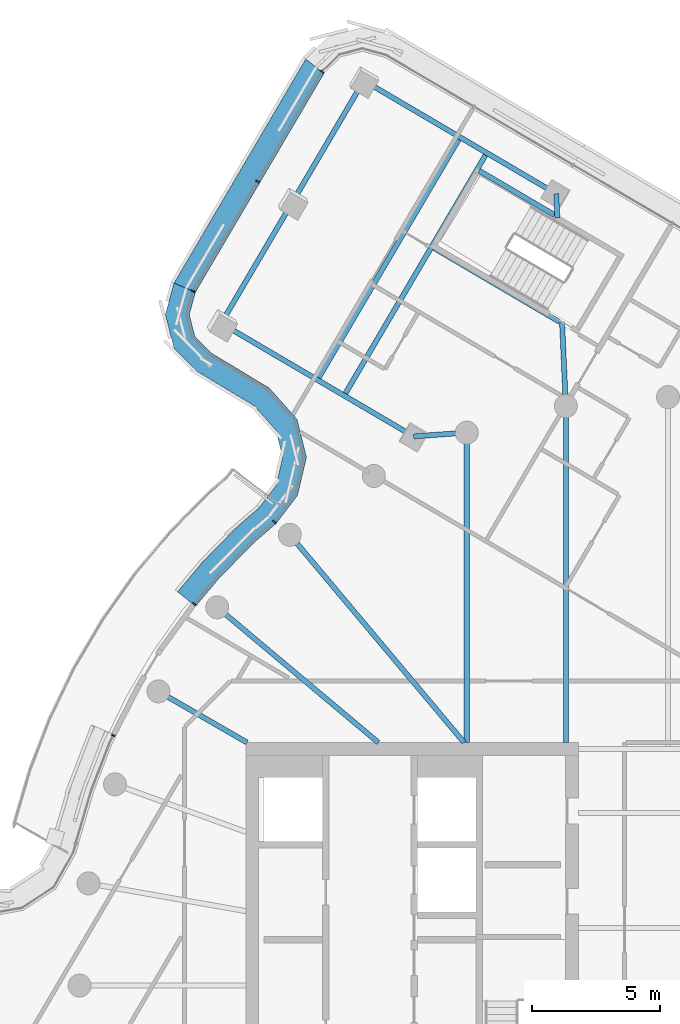
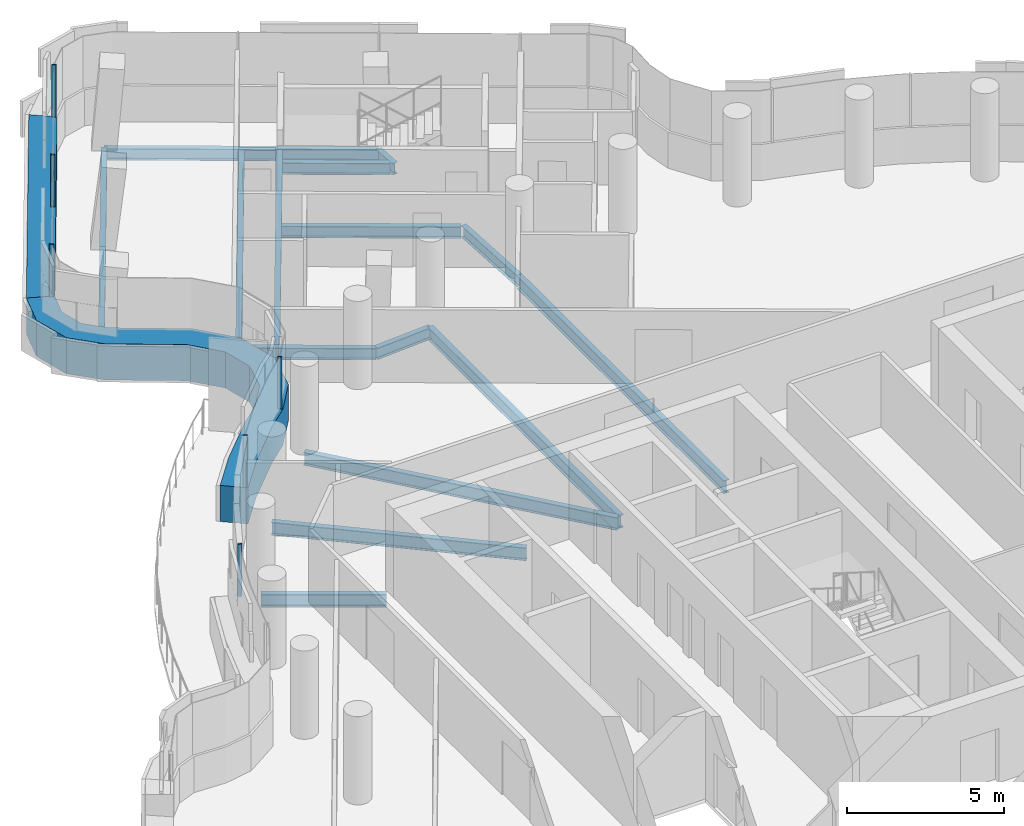
# One storey, part 9 of 26: 16 beams, 8 members, 2 elements without a shape of their own.
"""IFC4 building model written with IfcOpenShell, lengths in metres."""

from ifc_helpers import new_model, si_unit, direction, frame, origin, origin_2d, place, context, subcontext, project, spatial, polyline, rectangle, i_section, outline, extrude, material, layer, layer_set, material_profile, profile_set, type_object, element, aggregate, save


model = new_model("IFC4")

# Units and contexts
model_context = context("Model", 3, precision=1e-05, world=origin(), true_north=direction((0.0, 1.0)))
body_context = subcontext(model_context, "Body", "Model", "MODEL_VIEW")
ifc_project = project(units=[si_unit("LENGTHUNIT", "METRE"), si_unit("AREAUNIT", "SQUARE_METRE"), si_unit("VOLUMEUNIT", "CUBIC_METRE"), si_unit("PLANEANGLEUNIT", "RADIAN"), si_unit("MASSUNIT", "GRAM", prefix="KILO")], contexts=[model_context])

# Site, building, storey
site_placement = place(None, origin())
site = spatial("IfcSite", under=ifc_project, at=site_placement, CompositionType="ELEMENT")
building_placement = place(site_placement, origin())
building = spatial("IfcBuilding", under=site, at=building_placement, Name="Tamarind Cross Interchange Tower", CompositionType="ELEMENT")
storey_placement = place(building_placement, frame((0.0, 0.0, 248.699951171875)))
storey = spatial("IfcBuildingStorey", under=building, at=storey_placement, Name="L63", CompositionType="ELEMENT", Elevation=248.699951171875)

# Beams
ifc_material_1 = material(Name="Steel Q355B", Category="steel")
ifc_material_profile_1 = material_profile(ifc_material_1, i_section(OverallWidth=0.198974609375, OverallDepth=0.446044921875, WebThickness=0.008056640625, FlangeThickness=0.011962890625, FilletRadius=0.012939453125, at=origin_2d()), Name="HN 446x199x8x12")
ifc_profile_set_1 = profile_set([ifc_material_profile_1], Name="Steel Q355B")
beam_type_1 = type_object("IfcBeamType", Name="Composite beam HN 446x199x8x12 Q355B", PredefinedType="BEAM", material=ifc_profile_set_1)
beam_1_placement = place(storey_placement, frame((-11.8896484375, 35.368408203125, -0.363037109375), z_axis=(0.862102503168, -0.506733928242, 0.0), x_axis=(0.506733928242, 0.862102503168, 0.0)))
element("IfcBeam", 1, at=beam_1_placement, inside=storey, type_object=beam_type_1, Name="Beam N-edgeem4", PredefinedType="BEAM", context=body_context, shape_type="SweptSolid", body=[
    extrude(i_section(OverallWidth=0.198974609375, OverallDepth=0.446044921875, WebThickness=0.008056640625, FlangeThickness=0.011962890625, FilletRadius=0.012939453125, at=origin_2d()), origin(), (0.0, 0.0, 1.0), 8.724365234375),
])
beam_2_placement = place(storey_placement, frame((-17.4638671875, 25.88525390625, -0.363037109375), z_axis=(0.862109688614, -0.5067217035, 0.0), x_axis=(0.5067217035, 0.862109688614, 0.0)))
element("IfcBeam", 2, at=beam_2_placement, inside=storey, type_object=beam_type_1, Name="Beam N-edgeep2", PredefinedType="BEAM", context=body_context, shape_type="SweptSolid", body=[
    extrude(i_section(OverallWidth=0.198974609375, OverallDepth=0.446044921875, WebThickness=0.008056640625, FlangeThickness=0.011962890625, FilletRadius=0.012939453125, at=origin_2d()), origin(), (0.0, 0.0, 1.0), 8.724609375),
])
beam_3_placement = place(storey_placement, frame((-4.368408203125, 30.947509765625, -0.363037109375), z_axis=(0.045024715415, -0.998985873274, 0.0), x_axis=(0.998985873274, 0.045024715415, 0.0)))
element("IfcBeam", 3, at=beam_3_placement, inside=storey, type_object=beam_type_1, Name="Beam N-linkemt0", PredefinedType="BEAM", context=body_context, shape_type="SweptSolid", body=[
    extrude(i_section(OverallWidth=0.198974609375, OverallDepth=0.446044921875, WebThickness=0.008056640625, FlangeThickness=0.011962890625, FilletRadius=0.012939453125, at=origin_2d()), origin(), (0.0, 0.0, 1.0), 0.954345703125),
])
beam_4_placement = place(storey_placement, frame((-4.142578125, 25.94287109375, -0.363037109375), z_axis=(0.045115306473, -0.998981786181, 0.0), x_axis=(0.998981786181, 0.045115306473, 0.0)))
element("IfcBeam", 4, at=beam_4_placement, inside=storey, type_object=beam_type_1, Name="Beam N-linkemt1", PredefinedType="BEAM", context=body_context, shape_type="SweptSolid", body=[
    extrude(i_section(OverallWidth=0.198974609375, OverallDepth=0.446044921875, WebThickness=0.008056640625, FlangeThickness=0.011962890625, FilletRadius=0.012939453125, at=origin_2d()), origin(), (0.0, 0.0, 1.0), 3.295654296875),
])
beam_5_placement = place(storey_placement, frame((-9.9423828125, 21.46435546875, -0.363037109375), z_axis=(0.997444985887, 0.071438785888, 0.0), x_axis=(-0.071438785888, 0.997444985887, 0.0)))
element("IfcBeam", 5, at=beam_5_placement, inside=storey, type_object=beam_type_1, Name="Beam N-linkep", PredefinedType="BEAM", context=body_context, shape_type="SweptSolid", body=[
    extrude(i_section(OverallWidth=0.198974609375, OverallDepth=0.446044921875, WebThickness=0.008056640625, FlangeThickness=0.011962890625, FilletRadius=0.012939453125, at=origin_2d()), origin(), (0.0, 0.0, 1.0), 2.081298828125),
])
beam_6_placement = place(storey_placement, frame((-4.430419921875, 30.114013671875, -0.363037109375), z_axis=(-0.862119532955, 0.506704954483, 0.0), x_axis=(-0.506704954483, -0.862119532955, 0.0)))
element("IfcBeam", 6, at=beam_6_placement, inside=storey, type_object=beam_type_1, Name="Beam N-tr0s1", PredefinedType="BEAM", context=body_context, shape_type="SweptSolid", body=[
    extrude(i_section(OverallWidth=0.198974609375, OverallDepth=0.446044921875, WebThickness=0.008056640625, FlangeThickness=0.011962890625, FilletRadius=0.012939453125, at=origin_2d()), origin(), (0.0, 0.0, 1.0), 3.41943359375),
])
beam_7_placement = place(storey_placement, frame((-4.2421875, 25.943359375, -0.363037109375), z_axis=(-0.862091763235, 0.506752199563, 0.0), x_axis=(-0.506752199563, -0.862091763235, 0.0)))
element("IfcBeam", 7, at=beam_7_placement, inside=storey, type_object=beam_type_1, Name="Beam N-tr1s1", PredefinedType="BEAM", context=body_context, shape_type="SweptSolid", body=[
    extrude(i_section(OverallWidth=0.198974609375, OverallDepth=0.446044921875, WebThickness=0.008056640625, FlangeThickness=0.011962890625, FilletRadius=0.012939453125, at=origin_2d()), origin(), (0.0, 0.0, 1.0), 5.695068359375),
])
ifc_material_profile_2 = material_profile(ifc_material_1, i_section(OverallWidth=0.198974609375, OverallDepth=0.49609375, WebThickness=0.009033203125, FlangeThickness=0.013916015625, FilletRadius=0.012939453125, at=origin_2d()), Name="HN 496x199x9x14")
ifc_profile_set_2 = profile_set([ifc_material_profile_2], Name="Steel Q355B")
beam_type_2 = type_object("IfcBeamType", Name="Composite beam HN 496x199x9x14 Q355B", PredefinedType="BEAM", material=ifc_profile_set_2)
beam_8_placement = place(storey_placement, frame((-3.993896484375, 22.650634765625, -0.387939453125), z_axis=(0.0, -1.0, 0.0), x_axis=(1.0, 0.0, 0.0)))
element("IfcBeam", 8, at=beam_8_placement, inside=storey, type_object=beam_type_2, Name="Beam HH10", PredefinedType="BEAM", context=body_context, shape_type="SweptSolid", body=[
    extrude(i_section(OverallWidth=0.198974609375, OverallDepth=0.49609375, WebThickness=0.009033203125, FlangeThickness=0.013916015625, FilletRadius=0.012939453125, at=origin_2d()), origin(), (0.0, 0.0, 1.0), 13.150634765625),
])
beam_9_placement = place(storey_placement, frame((-7.866455078125, 21.613037109375, -0.387939453125), z_axis=(0.0, -1.0, 0.0), x_axis=(1.0, 0.0, 0.0)))
element("IfcBeam", 9, at=beam_9_placement, inside=storey, type_object=beam_type_2, Name="Beam HH11", PredefinedType="BEAM", context=body_context, shape_type="SweptSolid", body=[
    extrude(i_section(OverallWidth=0.198974609375, OverallDepth=0.49609375, WebThickness=0.009033203125, FlangeThickness=0.013916015625, FilletRadius=0.012939453125, at=origin_2d()), origin(), (0.0, 0.0, 1.0), 12.113037109375),
])
beam_10_placement = place(storey_placement, frame((-14.7841796875, 17.619140625, -0.387939453125), z_axis=(0.642786293979, -0.766045547127, 0.0), x_axis=(0.766045547127, 0.642786293979, 0.0)))
element("IfcBeam", 10, at=beam_10_placement, inside=storey, type_object=beam_type_2, Name="Beam HH13", PredefinedType="BEAM", context=body_context, shape_type="SweptSolid", body=[
    extrude(i_section(OverallWidth=0.198974609375, OverallDepth=0.49609375, WebThickness=0.009033203125, FlangeThickness=0.013916015625, FilletRadius=0.012939453125, at=origin_2d()), origin(), (0.0, 0.0, 1.0), 10.598876953125),
])
beam_11_placement = place(storey_placement, frame((-17.619140625, 14.7841796875, -0.387939453125), z_axis=(0.766040580814, -0.642792212574, 0.0), x_axis=(0.642792212574, 0.766040580814, 0.0)))
element("IfcBeam", 11, at=beam_11_placement, inside=storey, type_object=beam_type_2, Name="Beam HH14", PredefinedType="BEAM", context=body_context, shape_type="SweptSolid", body=[
    extrude(i_section(OverallWidth=0.198974609375, OverallDepth=0.49609375, WebThickness=0.009033203125, FlangeThickness=0.013916015625, FilletRadius=0.012939453125, at=origin_2d()), origin(), (0.0, 0.0, 1.0), 8.220703125),
])
beam_12_placement = place(storey_placement, frame((-19.918701171875, 11.5, -0.387939453125), z_axis=(0.866026010844, -0.49999894854, 0.0), x_axis=(0.49999894854, 0.866026010844, 0.0)))
element("IfcBeam", 12, at=beam_12_placement, inside=storey, type_object=beam_type_2, Name="Beam HH15", PredefinedType="BEAM", context=body_context, shape_type="SweptSolid", body=[
    extrude(i_section(OverallWidth=0.198974609375, OverallDepth=0.49609375, WebThickness=0.009033203125, FlangeThickness=0.013916015625, FilletRadius=0.012939453125, at=origin_2d()), origin(), (0.0, 0.0, 1.0), 4.0),
])
ifc_material_profile_3 = material_profile(ifc_material_1, i_section(OverallWidth=0.198974609375, OverallDepth=0.595947265625, WebThickness=0.010009765625, FlangeThickness=0.014892578125, FilletRadius=0.012939453125, at=origin_2d()), Name="HN 596x199x10x15")
ifc_profile_set_3 = profile_set([ifc_material_profile_3], Name="Steel Q355B")
beam_type_3 = type_object("IfcBeamType", Name="Composite beam HN 596x199x10x15 Q355B", PredefinedType="BEAM", material=ifc_profile_set_3)
beam_13_placement = place(storey_placement, frame((-11.8896484375, 35.368408203125, -0.43798828125), z_axis=(-0.506733003017, -0.862103047004, 0.0), x_axis=(0.862103047004, -0.506733003017, 0.0)))
element("IfcBeam", 13, at=beam_13_placement, inside=storey, type_object=beam_type_3, Name="Beam N-tip0", PredefinedType="BEAM", context=body_context, shape_type="SweptSolid", body=[
    extrude(i_section(OverallWidth=0.198974609375, OverallDepth=0.595947265625, WebThickness=0.010009765625, FlangeThickness=0.014892578125, FilletRadius=0.012939453125, at=origin_2d()), origin(), (0.0, 0.0, 1.0), 5.500244140625),
])
beam_14_placement = place(storey_placement, frame((-14.6767578125, 30.626708984375, -0.43798828125), z_axis=(-0.506752394782, -0.862091648482, 0.0), x_axis=(0.862091648482, -0.506752394782, 0.0)))
element("IfcBeam", 14, at=beam_14_placement, inside=storey, type_object=beam_type_3, Name="Beam N-tip1", PredefinedType="BEAM", context=body_context, shape_type="SweptSolid", body=[
    extrude(i_section(OverallWidth=0.198974609375, OverallDepth=0.595947265625, WebThickness=0.010009765625, FlangeThickness=0.014892578125, FilletRadius=0.012939453125, at=origin_2d()), origin(), (0.0, 0.0, 1.0), 5.5),
])
for number, where, z_axis, x_axis, name in (
    (15, (-7.083984375, 32.543701171875, -0.43798828125), (-0.506742698746, -0.862097347906, 0.0), (0.862097347906, -0.506742698746, 0.0), "Beam N-x334"),
    (16, (-8.129150390625, 33.157958984375, -0.43798828125), (-0.506726203322, -0.86210704374, 0.0), (0.86210704374, -0.506726203322, 0.0), "Beam N-x347"),
):
    element("IfcBeam", number, at=place(storey_placement, frame(where, z_axis=z_axis, x_axis=x_axis)), inside=storey, type_object=beam_type_3, Name=name, PredefinedType="BEAM", context=body_context, shape_type="SweptSolid", body=[
        extrude(i_section(OverallWidth=0.198974609375, OverallDepth=0.595947265625, WebThickness=0.010009765625, FlangeThickness=0.014892578125, FilletRadius=0.012939453125, at=origin_2d()), origin(), (0.0, 0.0, 1.0), 11.0),
    ])

# Curtain wall, member
ifc_material_2 = material(Name="Aluminium 6063-T6", Category="aluminium")
ifc_layer = layer(ifc_material_2, 0.139892578125)
ifc_layer_set = layer_set([ifc_layer], Name="Aluminium 6063-T6")
curtain_wall_type = type_object("IfcCurtainWallType", Name="Hotel curtain wall, 4.5 m bays", PredefinedType="NOTDEFINED", material=ifc_layer_set)
curtain_wall_1_placement = place(storey_placement, origin())
curtain_wall_1 = element("IfcCurtainWall", 17, at=curtain_wall_1_placement, inside=storey, type_object=curtain_wall_type, Name="CWS-L63-03", PredefinedType="NOTDEFINED")
ifc_material_3 = material(Name="Aluminium and insulated spandrel panel", Category="aluminium")
member_type_1 = type_object("IfcMemberType", Name="Floor-edge blade transom", PredefinedType="USERDEFINED", material=ifc_material_3)
member_1_placement = place(storey_placement, origin())
member_1 = element("IfcMember", 18, at=member_1_placement, type_object=member_type_1, Name="CWT-L63-03", ObjectType="TRANSOM", PredefinedType="USERDEFINED", context=body_context, shape_type="SweptSolid", body=[
    extrude(outline(polyline([(-13.443359375, 35.65576171875), (-18.470703125, 27.102783203125), (-19.306640625, 27.456787109375), (-14.1591796875, 36.2138671875), (-13.443359375, 35.65576171875)])), origin(), (0.0, 0.0, 1.0), 1.400146484375),
])

curtain_wall_2_placement = place(storey_placement, origin())
curtain_wall_2 = element("IfcCurtainWall", 19, at=curtain_wall_2_placement, inside=storey, type_object=curtain_wall_type, Name="CWS-L63-04", PredefinedType="NOTDEFINED")
member_2_placement = place(storey_placement, origin())
member_2 = element("IfcMember", 20, at=member_2_placement, type_object=member_type_1, Name="CWT-L63-04-0", ObjectType="TRANSOM", PredefinedType="USERDEFINED", context=body_context, shape_type="SweptSolid", body=[
    extrude(outline(polyline([(-18.470703125, 27.102783203125), (-18.71435546875, 26.220458984375), (-18.49462890625, 25.3740234375), (-17.851318359375, 24.720458984375), (-15.593994140625, 23.361083984375), (-14.506591796875, 22.1416015625), (-14.13232421875, 20.646240234375), (-14.484130859375, 19.155517578125), (-15.326171875, 18.051025390625), (-16.123046875, 17.36474609375), (-17.50244140625, 15.973388671875), (-18.465087890625, 14.826904296875), (-19.1669921875, 15.390380859375), (-18.167724609375, 16.580810546875), (-16.7373046875, 18.0234375), (-15.98486328125, 18.67138671875), (-15.31591796875, 19.548828125), (-15.05859375, 20.639892578125), (-15.325927734375, 21.7080078125), (-16.175048828125, 22.660400390625), (-18.412841796875, 24.00830078125), (-19.30517578125, 24.91455078125), (-19.646240234375, 26.227783203125), (-19.306640625, 27.456787109375), (-18.470703125, 27.102783203125)])), origin(), (0.0, 0.0, 1.0), 1.400146484375),
])

# Member
ifc_material_profile_4 = material_profile(ifc_material_2, rectangle(XDim=0.06005859375, YDim=0.139892578125, at=origin_2d()), Name="Mullion CW2")
ifc_profile_set_4 = profile_set([ifc_material_profile_4], Name="Aluminium 6063-T6")
member_type_2 = type_object("IfcMemberType", Name="Mullion CW2", PredefinedType="MULLION", material=ifc_profile_set_4)
member_3_placement = place(storey_placement, frame((-13.52294921875, 35.7177734375, 1.400146484375), z_axis=(0.0, 0.0, 1.0), x_axis=(-0.614924024749, -0.78858635785, 0.0)))
member_3 = element("IfcMember", 21, at=member_3_placement, type_object=member_type_2, Name="CWM-L63-03-00", PredefinedType="MULLION", context=body_context, shape_type="SweptSolid", body=[
    extrude(rectangle(XDim=0.06005859375, YDim=0.139892578125, at=origin_2d()), origin(), (0.0, 0.0, 1.0), 2.02001953125),
])

member_4_placement = place(storey_placement, frame((-16.043212890625, 31.429931640625, 1.400146484375), z_axis=(0.0, 0.0, 1.0), x_axis=(-0.506732089945, -0.862103583695, 0.0)))
member_4 = element("IfcMember", 22, at=member_4_placement, type_object=member_type_2, Name="CWM-L63-03-01", PredefinedType="MULLION", context=body_context, shape_type="SweptSolid", body=[
    extrude(rectangle(XDim=0.06005859375, YDim=0.139892578125, at=origin_2d()), origin(), (0.0, 0.0, 1.0), 2.02001953125),
])

aggregate(curtain_wall_1, [member_3, member_4, member_1])

member_5_placement = place(storey_placement, frame((-18.5634765625, 27.14208984375, 1.400146484375), z_axis=(0.0, 0.0, 1.0), x_axis=(-0.389869828591, -0.920869978203, 0.0)))
member_5 = element("IfcMember", 23, at=member_5_placement, type_object=member_type_2, Name="CWM-L63-04-00", PredefinedType="MULLION", context=body_context, shape_type="SweptSolid", body=[
    extrude(rectangle(XDim=0.06005859375, YDim=0.139892578125, at=origin_2d()), origin(), (0.0, 0.0, 1.0), 2.02001953125),
])

member_6_placement = place(storey_placement, frame((-15.394775390625, 18.126220703125, 1.400146484375), z_axis=(0.0, 0.0, 1.0), x_axis=(-0.606322026596, -0.7952192151, 0.0)))
member_6 = element("IfcMember", 24, at=member_6_placement, type_object=member_type_2, Name="CWM-L63-04-01", PredefinedType="MULLION", context=body_context, shape_type="SweptSolid", body=[
    extrude(rectangle(XDim=0.06005859375, YDim=0.139892578125, at=origin_2d()), origin(), (0.0, 0.0, 1.0), 2.02001953125),
])

member_7_placement = place(storey_placement, frame((-18.52392578125, 14.912353515625, 1.400146484375), z_axis=(0.0, 0.0, 1.0), x_axis=(-0.643009266048, -0.765858396687, 0.0)))
member_7 = element("IfcMember", 25, at=member_7_placement, type_object=member_type_2, Name="CWM-L63-04-02", PredefinedType="MULLION", context=body_context, shape_type="SweptSolid", body=[
    extrude(rectangle(XDim=0.06005859375, YDim=0.139892578125, at=origin_2d()), origin(), (0.0, 0.0, 1.0), 2.02001953125),
])

member_8_placement = place(storey_placement, frame((-21.67919921875, 9.78173828125, 1.400146484375), z_axis=(0.0, 0.0, 1.0), x_axis=(-0.435326231914, -0.900272776334, 0.0)))
member_8 = element("IfcMember", 26, at=member_8_placement, type_object=member_type_2, Name="CWM-L63-04-03", PredefinedType="MULLION", context=body_context, shape_type="SweptSolid", body=[
    extrude(rectangle(XDim=0.06005859375, YDim=0.139892578125, at=origin_2d()), origin(), (0.0, 0.0, 1.0), 2.02001953125),
])

aggregate(curtain_wall_2, [member_5, member_6, member_7, member_8, member_2])

save(model, "model.ifc")
